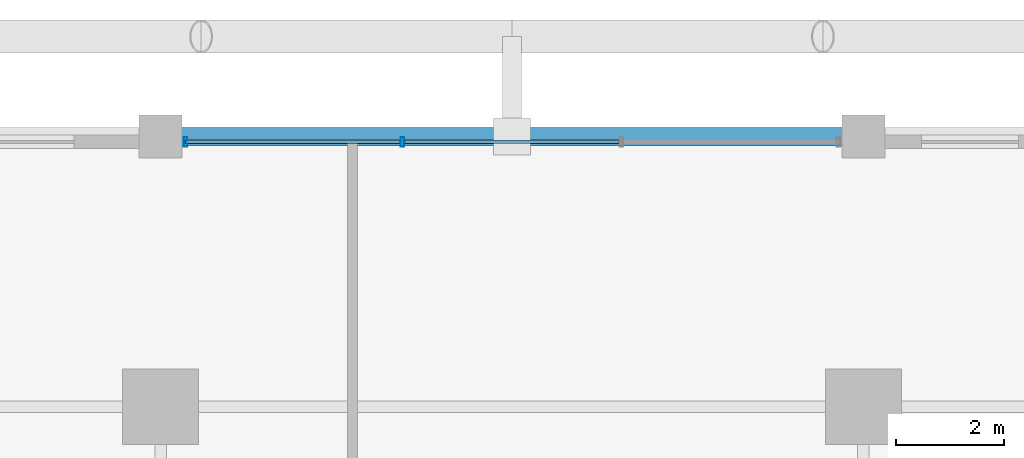
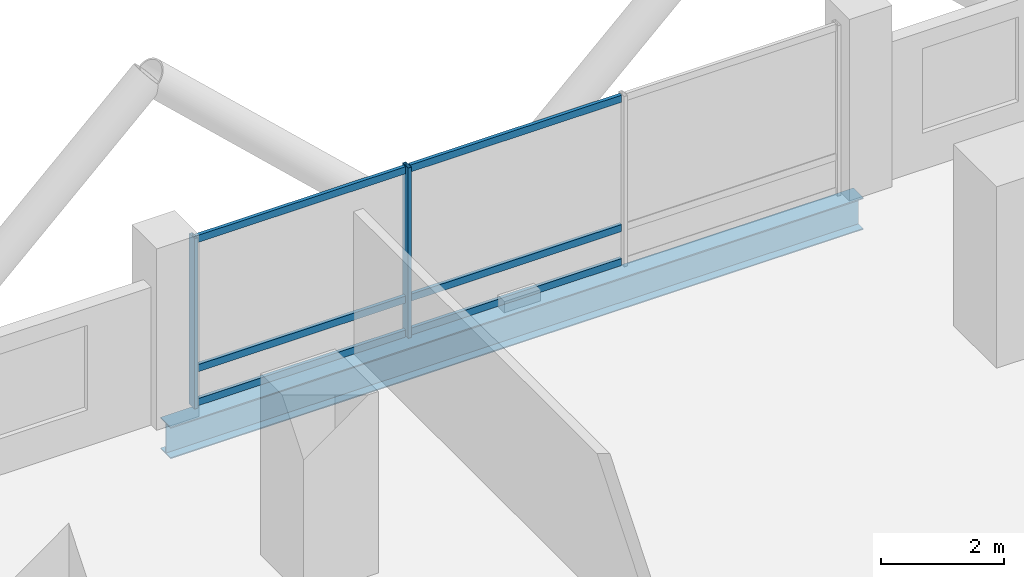
# One storey, part 15 of 26: 8 members, 1 beam, 1 element without a shape of its own.
"""IFC4 building model written with IfcOpenShell, lengths in metres."""

from ifc_helpers import new_model, si_unit, direction, frame, origin, origin_2d, place, context, subcontext, project, spatial, hollow_rectangle, i_section, extrude, material, layer, layer_set, material_profile, profile_set, type_object, element, aggregate, save


model = new_model("IFC4")

# Units and contexts
model_context = context("Model", 3, precision=1e-05, world=origin(), true_north=direction((0.0, 1.0)))
body_context = subcontext(model_context, "Body", "Model", "MODEL_VIEW")
ifc_project = project(units=[si_unit("LENGTHUNIT", "METRE"), si_unit("AREAUNIT", "SQUARE_METRE"), si_unit("VOLUMEUNIT", "CUBIC_METRE"), si_unit("PLANEANGLEUNIT", "RADIAN"), si_unit("MASSUNIT", "GRAM", prefix="KILO")], contexts=[model_context])

# Site, building, storey
site_placement = place(None, origin())
site = spatial("IfcSite", under=ifc_project, at=site_placement, CompositionType="ELEMENT")
building_placement = place(site_placement, origin())
building = spatial("IfcBuilding", under=site, at=building_placement, Name="Barlavira Tower and Art Museum", CompositionType="ELEMENT")
storey_placement = place(building_placement, frame((0.0, 0.0, 82.800048828125)))
storey = spatial("IfcBuildingStorey", under=building, at=storey_placement, Name="L20", CompositionType="ELEMENT", Elevation=82.800048828125)

# Curtain wall, members
ifc_material_1 = material(Name="Low-iron coastal laminated glass", Category="glass")
ifc_layer = layer(ifc_material_1, 0.179931640625, Name="Low-iron coastal laminated glass")
ifc_layer_set = layer_set([ifc_layer], Name="Low-iron coastal laminated glass")
curtain_wall_type = type_object("IfcCurtainWallType", Name="Pale-Metal Unitised Curtain Wall Zone 1", PredefinedType="NOTDEFINED", material=ifc_layer_set)
curtain_wall_placement = place(storey_placement, origin())
curtain_wall = element("IfcCurtainWall", 1, at=curtain_wall_placement, inside=storey, type_object=curtain_wall_type, Name="L20 Curtain Wall CW1-L20-N-B3", PredefinedType="NOTDEFINED")
ifc_material_2 = material(Name="Pale anodised aluminium", Category="aluminium")
ifc_material_profile_1 = material_profile(ifc_material_2, hollow_rectangle(XDim=0.06494140625, YDim=0.179931640625, WallThickness=0.00390625, at=origin_2d()), Name="ALU-MULL 65x180x4")
ifc_profile_set_1 = profile_set([ifc_material_profile_1], Name="Pale anodised aluminium")
member_type_1 = type_object("IfcMemberType", Name="Curtain Wall Pale-Metal Mullion 65x180", PredefinedType="MULLION", material=ifc_profile_set_1)
member_1_placement = place(storey_placement, frame((-2.026611328125, 24.89990234375, 0.0), z_axis=(0.0, 0.0, 1.0), x_axis=(-1.0, 0.0, 0.0)))
member_1 = element("IfcMember", 2, at=member_1_placement, type_object=member_type_1, Name="CW1-L20-N-B3 Mullion 2", PredefinedType="MULLION", context=body_context, shape_type="SweptSolid", body=[
    extrude(hollow_rectangle(XDim=0.06494140625, YDim=0.179931640625, WallThickness=0.00390625, at=origin_2d()), origin(), (0.0, 0.0, 1.0), 3.3798828125),
])
member_2_placement = place(storey_placement, frame((-6.034912109375, 24.89990234375, 0.0), z_axis=(0.0, 0.0, 1.0), x_axis=(-1.0, 0.0, 0.0)))
member_2 = element("IfcMember", 3, at=member_2_placement, type_object=member_type_1, Name="CW1-L20-N-B3 Mullion 3", PredefinedType="MULLION", context=body_context, shape_type="SweptSolid", body=[
    extrude(hollow_rectangle(XDim=0.06494140625, YDim=0.179931640625, WallThickness=0.00390625, at=origin_2d()), origin(), (0.0, 0.0, 1.0), 3.3798828125),
])
ifc_material_profile_2 = material_profile(ifc_material_2, hollow_rectangle(XDim=0.06494140625, YDim=0.139892578125, WallThickness=0.00390625, at=origin_2d()), Name="ALU-TRAN 65x140x4")
ifc_profile_set_2 = profile_set([ifc_material_profile_2], Name="Pale anodised aluminium")
member_type_2 = type_object("IfcMemberType", Name="Curtain Wall Pale-Metal Transom 65x140", PredefinedType="USERDEFINED", material=ifc_profile_set_2)
member_3_placement = place(storey_placement, frame((1.981689453125, 24.89990234375, 0.070068359375), z_axis=(-1.0, 0.0, 0.0), x_axis=(0.0, -1.0, 0.0)))
member_3 = element("IfcMember", 4, at=member_3_placement, type_object=member_type_2, Name="CW1-L20-N-B3 Transom 1.1", ObjectType="TRANSOM", PredefinedType="USERDEFINED", context=body_context, shape_type="SweptSolid", body=[
    extrude(hollow_rectangle(XDim=0.06494140625, YDim=0.139892578125, WallThickness=0.00390625, at=origin_2d()), origin(), (0.0, 0.0, 1.0), 3.96337890625),
])
member_4_placement = place(storey_placement, frame((1.981689453125, 24.89990234375, 0.743896484375), z_axis=(-1.0, 0.0, 0.0), x_axis=(0.0, -1.0, 0.0)))
member_4 = element("IfcMember", 5, at=member_4_placement, type_object=member_type_2, Name="CW1-L20-N-B3 Transom 1.2", ObjectType="TRANSOM", PredefinedType="USERDEFINED", context=body_context, shape_type="SweptSolid", body=[
    extrude(hollow_rectangle(XDim=0.06494140625, YDim=0.139892578125, WallThickness=0.00390625, at=origin_2d()), origin(), (0.0, 0.0, 1.0), 3.96337890625),
])
member_5_placement = place(storey_placement, frame((1.981689453125, 24.89990234375, 3.31005859375), z_axis=(-1.0, 0.0, 0.0), x_axis=(0.0, -1.0, 0.0)))
member_5 = element("IfcMember", 6, at=member_5_placement, type_object=member_type_2, Name="CW1-L20-N-B3 Transom 1.3", ObjectType="TRANSOM", PredefinedType="USERDEFINED", context=body_context, shape_type="SweptSolid", body=[
    extrude(hollow_rectangle(XDim=0.06494140625, YDim=0.139892578125, WallThickness=0.00390625, at=origin_2d()), origin(), (0.0, 0.0, 1.0), 3.96337890625),
])
member_6_placement = place(storey_placement, frame((-2.07177734375, 24.89990234375, 0.070068359375), z_axis=(-1.0, 0.0, 0.0), x_axis=(0.0, -1.0, 0.0)))
member_6 = element("IfcMember", 7, at=member_6_placement, type_object=member_type_2, Name="CW1-L20-N-B3 Transom 2.1", ObjectType="TRANSOM", PredefinedType="USERDEFINED", context=body_context, shape_type="SweptSolid", body=[
    extrude(hollow_rectangle(XDim=0.06494140625, YDim=0.139892578125, WallThickness=0.00390625, at=origin_2d()), origin(), (0.0, 0.0, 1.0), 3.963134765625),
])
member_7_placement = place(storey_placement, frame((-2.07177734375, 24.89990234375, 0.743896484375), z_axis=(-1.0, 0.0, 0.0), x_axis=(0.0, -1.0, 0.0)))
member_7 = element("IfcMember", 8, at=member_7_placement, type_object=member_type_2, Name="CW1-L20-N-B3 Transom 2.2", ObjectType="TRANSOM", PredefinedType="USERDEFINED", context=body_context, shape_type="SweptSolid", body=[
    extrude(hollow_rectangle(XDim=0.06494140625, YDim=0.139892578125, WallThickness=0.00390625, at=origin_2d()), origin(), (0.0, 0.0, 1.0), 3.963134765625),
])
member_8_placement = place(storey_placement, frame((-2.07177734375, 24.89990234375, 3.31005859375), z_axis=(-1.0, 0.0, 0.0), x_axis=(0.0, -1.0, 0.0)))
member_8 = element("IfcMember", 9, at=member_8_placement, type_object=member_type_2, Name="CW1-L20-N-B3 Transom 2.3", ObjectType="TRANSOM", PredefinedType="USERDEFINED", context=body_context, shape_type="SweptSolid", body=[
    extrude(hollow_rectangle(XDim=0.06494140625, YDim=0.139892578125, WallThickness=0.00390625, at=origin_2d()), origin(), (0.0, 0.0, 1.0), 3.963134765625),
])
aggregate(curtain_wall, [member_1, member_2, member_3, member_4, member_5, member_6, member_7, member_8])

# Beam
ifc_material_3 = material(Name="Steel S355", Category="steel")
ifc_material_profile_3 = material_profile(ifc_material_3, i_section(OverallWidth=0.327880859375, OverallDepth=0.62890625, WebThickness=0.013916015625, FlangeThickness=0.021484375, at=origin_2d()), Name="W610x174.0")
ifc_profile_set_3 = profile_set([ifc_material_profile_3], Name="Steel S355")
beam_type = type_object("IfcBeamType", Name="Perimeter Spandrel Edge Beam W610x174 Steel S355", PredefinedType="SPANDREL", material=ifc_profile_set_3)
beam_placement = place(storey_placement, frame((-6.5, 25.0, -0.53466796875), z_axis=(1.0, 0.0, 0.0), x_axis=(0.0, 1.0, 0.0)))
element("IfcBeam", 10, at=beam_placement, inside=storey, type_object=beam_type, Name="L20 Spandrel 10", PredefinedType="SPANDREL", context=body_context, shape_type="SweptSolid", body=[
    extrude(i_section(OverallWidth=0.327880859375, OverallDepth=0.62890625, WebThickness=0.013916015625, FlangeThickness=0.021484375, at=origin_2d()), origin(), (0.0, 0.0, 1.0), 13.0),
])

save(model, "model.ifc")
